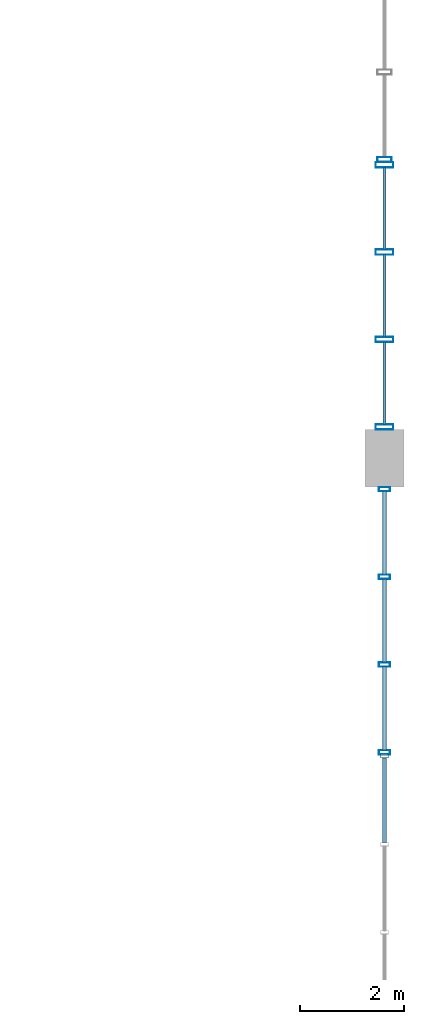
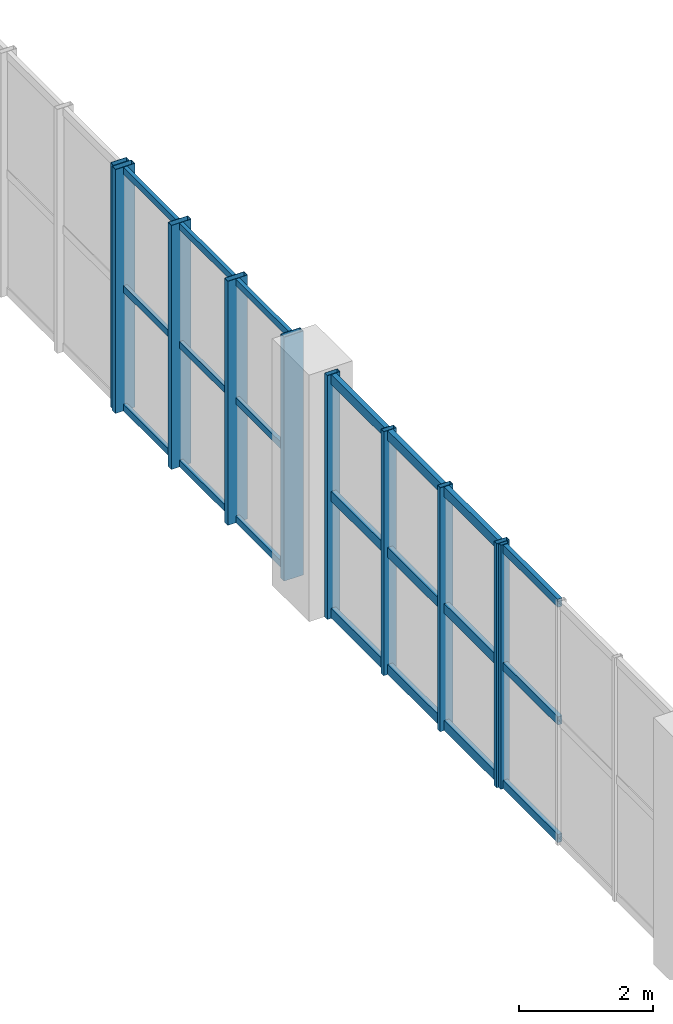
# One storey, part 28 of 48: 31 members, 4 elements without a shape of their own.
"""IFC4 building model written with IfcOpenShell, lengths in metres."""

from ifc_helpers import new_model, si_unit, direction, frame, origin, origin_2d, place, context, subcontext, project, spatial, hollow_rectangle, extrude, material, layer, layer_set, material_profile, profile_set, type_object, element, aggregate, save


model = new_model("IFC4")

# Units and contexts
model_context = context("Model", 3, precision=1e-05, world=origin(), true_north=direction((0.0, 1.0)))
body_context = subcontext(model_context, "Body", "Model", "MODEL_VIEW")
ifc_project = project(units=[si_unit("LENGTHUNIT", "METRE"), si_unit("AREAUNIT", "SQUARE_METRE"), si_unit("VOLUMEUNIT", "CUBIC_METRE"), si_unit("PLANEANGLEUNIT", "RADIAN"), si_unit("MASSUNIT", "GRAM", prefix="KILO"), si_unit("POWERUNIT", "WATT"), si_unit("THERMODYNAMICTEMPERATUREUNIT", "KELVIN")], contexts=[model_context])

# Site, building, storey
site_placement = place(None, origin())
site = spatial("IfcSite", under=ifc_project, at=site_placement, CompositionType="ELEMENT")
building_placement = place(site_placement, origin())
building = spatial("IfcBuilding", under=site, at=building_placement, Name="Kelmbourne Parkland Aquatics Centre", CompositionType="ELEMENT")
storey_placement = place(building_placement, frame((0.0, 0.0, 14.699951171875)))
storey = spatial("IfcBuildingStorey", under=building, at=storey_placement, Name="L03", CompositionType="ELEMENT", Elevation=14.699951171875)

# Curtain wall, member
ifc_material = material(Name="Thermally broken anodised aluminium framing", Category="aluminium")
ifc_layer_1 = layer(ifc_material, 0.179931640625)
ifc_layer_set_1 = layer_set([ifc_layer_1], Name="Thermally broken anodised aluminium framing")
curtain_wall_type_1 = type_object("IfcCurtainWallType", Name="CW-13", PredefinedType="NOTDEFINED", material=ifc_layer_set_1)
curtain_wall_1_placement = place(storey_placement, origin())
curtain_wall_1 = element("IfcCurtainWall", 1, at=curtain_wall_1_placement, inside=storey, type_object=curtain_wall_type_1, Name="Wave-hall clerestory curtain wall CW-L03-085", PredefinedType="NOTDEFINED")
ifc_material_profile_1 = material_profile(ifc_material, hollow_rectangle(XDim=0.06494140625, YDim=0.14990234375, WallThickness=0.00390625, at=origin_2d()), Name="CW-M 65x150")
ifc_profile_set_1 = profile_set([ifc_material_profile_1], Name="Thermally broken anodised aluminium framing")
member_type_1 = type_object("IfcMemberType", Name="MB-MUL-1", PredefinedType="MULLION", material=ifc_profile_set_1)
member_1_placement = place(storey_placement, frame((175.199951171875, 97.66748046875, 0.0), z_axis=(0.0, 0.0, 1.0), x_axis=(0.0, 1.0, 0.0)))
member_1 = element("IfcMember", 2, at=member_1_placement, type_object=member_type_1, Name="CW-L03-085 mullion 3", PredefinedType="MULLION", context=body_context, shape_type="SweptSolid", body=[
    extrude(hollow_rectangle(XDim=0.06494140625, YDim=0.14990234375, WallThickness=0.00390625, at=origin_2d()), origin(), (0.0, 0.0, 1.0), 4.449951171875),
])

# Curtain wall, members
ifc_layer_2 = layer(ifc_material, 0.179931640625)
ifc_layer_set_2 = layer_set([ifc_layer_2], Name="Thermally broken anodised aluminium framing")
curtain_wall_type_2 = type_object("IfcCurtainWallType", Name="CW-20", PredefinedType="NOTDEFINED", material=ifc_layer_set_2)
curtain_wall_2_placement = place(storey_placement, origin())
curtain_wall_2 = element("IfcCurtainWall", 3, at=curtain_wall_2_placement, inside=storey, type_object=curtain_wall_type_2, Name="Wave-hall clerestory curtain wall CW-L03-092", PredefinedType="NOTDEFINED")
ifc_material_profile_2 = material_profile(ifc_material, hollow_rectangle(XDim=0.0849609375, YDim=0.219970703125, WallThickness=0.0048828125, at=origin_2d()), Name="CW-M 85x220")
ifc_profile_set_2 = profile_set([ifc_material_profile_2], Name="Thermally broken anodised aluminium framing")
member_type_2 = type_object("IfcMemberType", Name="MB-MUL-3", PredefinedType="MULLION", material=ifc_profile_set_2)
member_2_placement = place(storey_placement, frame((175.199951171875, 97.742431640625, 0.0), z_axis=(0.0, 0.0, 1.0), x_axis=(0.0, 1.0, 0.0)))
member_2 = element("IfcMember", 4, at=member_2_placement, type_object=member_type_2, Name="CW-L03-092 mullion 0", PredefinedType="MULLION", context=body_context, shape_type="SweptSolid", body=[
    extrude(hollow_rectangle(XDim=0.0849609375, YDim=0.219970703125, WallThickness=0.0048828125, at=origin_2d()), origin(), (0.0, 0.0, 1.0), 4.449951171875),
])
member_3_placement = place(storey_placement, frame((175.199951171875, 99.43017578125, 0.0), z_axis=(0.0, 0.0, 1.0), x_axis=(0.0, 1.0, 0.0)))
member_3 = element("IfcMember", 5, at=member_3_placement, type_object=member_type_2, Name="CW-L03-092 mullion 1", PredefinedType="MULLION", context=body_context, shape_type="SweptSolid", body=[
    extrude(hollow_rectangle(XDim=0.0849609375, YDim=0.219970703125, WallThickness=0.0048828125, at=origin_2d()), origin(), (0.0, 0.0, 1.0), 4.449951171875),
])
member_4_placement = place(storey_placement, frame((175.199951171875, 101.117919921875, 0.0), z_axis=(0.0, 0.0, 1.0), x_axis=(0.0, 1.0, 0.0)))
member_4 = element("IfcMember", 6, at=member_4_placement, type_object=member_type_2, Name="CW-L03-092 mullion 2", PredefinedType="MULLION", context=body_context, shape_type="SweptSolid", body=[
    extrude(hollow_rectangle(XDim=0.0849609375, YDim=0.219970703125, WallThickness=0.0048828125, at=origin_2d()), origin(), (0.0, 0.0, 1.0), 4.449951171875),
])
member_5_placement = place(storey_placement, frame((175.199951171875, 102.805419921875, 0.0), z_axis=(0.0, 0.0, 1.0), x_axis=(0.0, 1.0, 0.0)))
member_5 = element("IfcMember", 7, at=member_5_placement, type_object=member_type_2, Name="CW-L03-092 mullion 3", PredefinedType="MULLION", context=body_context, shape_type="SweptSolid", body=[
    extrude(hollow_rectangle(XDim=0.0849609375, YDim=0.219970703125, WallThickness=0.0048828125, at=origin_2d()), origin(), (0.0, 0.0, 1.0), 4.449951171875),
])

# Curtain wall, member
ifc_layer_3 = layer(ifc_material, 0.179931640625)
ifc_layer_set_3 = layer_set([ifc_layer_3], Name="Thermally broken anodised aluminium framing")
curtain_wall_type_3 = type_object("IfcCurtainWallType", Name="CW-07", PredefinedType="NOTDEFINED", material=ifc_layer_set_3)
curtain_wall_3_placement = place(storey_placement, origin())
curtain_wall_3 = element("IfcCurtainWall", 8, at=curtain_wall_3_placement, inside=storey, type_object=curtain_wall_type_3, Name="Wave-hall clerestory curtain wall CW-L03-103", PredefinedType="NOTDEFINED")
ifc_material_profile_3 = material_profile(ifc_material, hollow_rectangle(XDim=0.094970703125, YDim=0.280029296875, WallThickness=0.005615234375, at=origin_2d()), Name="CW-M 95x280")
ifc_profile_set_3 = profile_set([ifc_material_profile_3], Name="Thermally broken anodised aluminium framing")
member_type_3 = type_object("IfcMemberType", Name="MB-MUL-4", PredefinedType="MULLION", material=ifc_profile_set_3)
member_6_placement = place(storey_placement, frame((175.199951171875, 109.1474609375, 0.0), z_axis=(0.0, 0.0, 1.0), x_axis=(0.0, 1.0, 0.0)))
member_6 = element("IfcMember", 9, at=member_6_placement, type_object=member_type_3, Name="CW-L03-103 mullion 0", PredefinedType="MULLION", context=body_context, shape_type="SweptSolid", body=[
    extrude(hollow_rectangle(XDim=0.094970703125, YDim=0.280029296875, WallThickness=0.005615234375, at=origin_2d()), origin(), (0.0, 0.0, 1.0), 4.449951171875),
])
aggregate(curtain_wall_3, [member_6])

# Curtain wall, members
ifc_layer_4 = layer(ifc_material, 0.179931640625)
ifc_layer_set_4 = layer_set([ifc_layer_4], Name="Thermally broken anodised aluminium framing")
curtain_wall_type_4 = type_object("IfcCurtainWallType", Name="CW-03", PredefinedType="NOTDEFINED", material=ifc_layer_set_4)
curtain_wall_4_placement = place(storey_placement, origin())
curtain_wall_4 = element("IfcCurtainWall", 10, at=curtain_wall_4_placement, inside=storey, type_object=curtain_wall_type_4, Name="Wave-hall clerestory curtain wall CW-L03-099", PredefinedType="NOTDEFINED")
ifc_material_profile_4 = material_profile(ifc_material, hollow_rectangle(XDim=0.10498046875, YDim=0.340087890625, WallThickness=0.006103515625, at=origin_2d()), Name="CW-M 105x340")
ifc_profile_set_4 = profile_set([ifc_material_profile_4], Name="Thermally broken anodised aluminium framing")
member_type_4 = type_object("IfcMemberType", Name="MB-MUL-5", PredefinedType="MULLION", material=ifc_profile_set_4)
member_7_placement = place(storey_placement, frame((175.199951171875, 104.00439453125, 0.0), z_axis=(0.0, 0.0, 1.0), x_axis=(0.0, 1.0, 0.0)))
member_7 = element("IfcMember", 11, at=member_7_placement, type_object=member_type_4, Name="CW-L03-099 mullion 0", PredefinedType="MULLION", context=body_context, shape_type="SweptSolid", body=[
    extrude(hollow_rectangle(XDim=0.10498046875, YDim=0.340087890625, WallThickness=0.006103515625, at=origin_2d()), origin(), (0.0, 0.0, 1.0), 4.449951171875),
])
member_8_placement = place(storey_placement, frame((175.199951171875, 105.685546875, 0.0), z_axis=(0.0, 0.0, 1.0), x_axis=(0.0, 1.0, 0.0)))
member_8 = element("IfcMember", 12, at=member_8_placement, type_object=member_type_4, Name="CW-L03-099 mullion 1", PredefinedType="MULLION", context=body_context, shape_type="SweptSolid", body=[
    extrude(hollow_rectangle(XDim=0.10498046875, YDim=0.340087890625, WallThickness=0.006103515625, at=origin_2d()), origin(), (0.0, 0.0, 1.0), 4.449951171875),
])
member_9_placement = place(storey_placement, frame((175.199951171875, 107.366455078125, 0.0), z_axis=(0.0, 0.0, 1.0), x_axis=(0.0, 1.0, 0.0)))
member_9 = element("IfcMember", 13, at=member_9_placement, type_object=member_type_4, Name="CW-L03-099 mullion 2", PredefinedType="MULLION", context=body_context, shape_type="SweptSolid", body=[
    extrude(hollow_rectangle(XDim=0.10498046875, YDim=0.340087890625, WallThickness=0.006103515625, at=origin_2d()), origin(), (0.0, 0.0, 1.0), 4.449951171875),
])
member_10_placement = place(storey_placement, frame((175.199951171875, 109.047607421875, 0.0), z_axis=(0.0, 0.0, 1.0), x_axis=(0.0, 1.0, 0.0)))
member_10 = element("IfcMember", 14, at=member_10_placement, type_object=member_type_4, Name="CW-L03-099 mullion 3", PredefinedType="MULLION", context=body_context, shape_type="SweptSolid", body=[
    extrude(hollow_rectangle(XDim=0.10498046875, YDim=0.340087890625, WallThickness=0.006103515625, at=origin_2d()), origin(), (0.0, 0.0, 1.0), 4.449951171875),
])
ifc_material_profile_5 = material_profile(ifc_material, hollow_rectangle(XDim=0.06494140625, YDim=0.1201171875, WallThickness=0.00341796875, at=origin_2d()), Name="CW-T 65x120")
ifc_profile_set_5 = profile_set([ifc_material_profile_5], Name="Thermally broken anodised aluminium framing")
member_type_5 = type_object("IfcMemberType", Name="MB-TRN-1", PredefinedType="USERDEFINED", material=ifc_profile_set_5)
member_11_placement = place(storey_placement, frame((175.199951171875, 104.052978515625, 0.06298828125), z_axis=(0.0, 1.0, 0.0), x_axis=(-1.0, 0.0, 0.0)))
member_11 = element("IfcMember", 15, at=member_11_placement, type_object=member_type_5, Name="CW-L03-099 transom 0-0", ObjectType="TRANSOM", PredefinedType="USERDEFINED", context=body_context, shape_type="SweptSolid", body=[
    extrude(hollow_rectangle(XDim=0.06494140625, YDim=0.1201171875, WallThickness=0.00341796875, at=origin_2d()), origin(), (0.0, 0.0, 1.0), 1.583984375),
])
member_12_placement = place(storey_placement, frame((175.199951171875, 105.73388671875, 0.06298828125), z_axis=(0.0, 1.0, 0.0), x_axis=(-1.0, 0.0, 0.0)))
member_12 = element("IfcMember", 16, at=member_12_placement, type_object=member_type_5, Name="CW-L03-099 transom 0-1", ObjectType="TRANSOM", PredefinedType="USERDEFINED", context=body_context, shape_type="SweptSolid", body=[
    extrude(hollow_rectangle(XDim=0.06494140625, YDim=0.1201171875, WallThickness=0.00341796875, at=origin_2d()), origin(), (0.0, 0.0, 1.0), 1.584228515625),
])
member_13_placement = place(storey_placement, frame((175.199951171875, 107.4150390625, 0.06298828125), z_axis=(0.0, 1.0, 0.0), x_axis=(-1.0, 0.0, 0.0)))
member_13 = element("IfcMember", 17, at=member_13_placement, type_object=member_type_5, Name="CW-L03-099 transom 0-2", ObjectType="TRANSOM", PredefinedType="USERDEFINED", context=body_context, shape_type="SweptSolid", body=[
    extrude(hollow_rectangle(XDim=0.06494140625, YDim=0.1201171875, WallThickness=0.00341796875, at=origin_2d()), origin(), (0.0, 0.0, 1.0), 1.583984375),
])
member_14_placement = place(storey_placement, frame((175.199951171875, 104.052978515625, 2.22509765625), z_axis=(0.0, 1.0, 0.0), x_axis=(-1.0, 0.0, 0.0)))
member_14 = element("IfcMember", 18, at=member_14_placement, type_object=member_type_5, Name="CW-L03-099 transom 1-0", ObjectType="TRANSOM", PredefinedType="USERDEFINED", context=body_context, shape_type="SweptSolid", body=[
    extrude(hollow_rectangle(XDim=0.06494140625, YDim=0.1201171875, WallThickness=0.00341796875, at=origin_2d()), origin(), (0.0, 0.0, 1.0), 1.583984375),
])
member_15_placement = place(storey_placement, frame((175.199951171875, 105.73388671875, 2.22509765625), z_axis=(0.0, 1.0, 0.0), x_axis=(-1.0, 0.0, 0.0)))
member_15 = element("IfcMember", 19, at=member_15_placement, type_object=member_type_5, Name="CW-L03-099 transom 1-1", ObjectType="TRANSOM", PredefinedType="USERDEFINED", context=body_context, shape_type="SweptSolid", body=[
    extrude(hollow_rectangle(XDim=0.06494140625, YDim=0.1201171875, WallThickness=0.00341796875, at=origin_2d()), origin(), (0.0, 0.0, 1.0), 1.584228515625),
])
member_16_placement = place(storey_placement, frame((175.199951171875, 107.4150390625, 2.22509765625), z_axis=(0.0, 1.0, 0.0), x_axis=(-1.0, 0.0, 0.0)))
member_16 = element("IfcMember", 20, at=member_16_placement, type_object=member_type_5, Name="CW-L03-099 transom 1-2", ObjectType="TRANSOM", PredefinedType="USERDEFINED", context=body_context, shape_type="SweptSolid", body=[
    extrude(hollow_rectangle(XDim=0.06494140625, YDim=0.1201171875, WallThickness=0.00341796875, at=origin_2d()), origin(), (0.0, 0.0, 1.0), 1.583984375),
])
member_17_placement = place(storey_placement, frame((175.199951171875, 104.052978515625, 4.386962890625), z_axis=(0.0, 1.0, 0.0), x_axis=(-1.0, 0.0, 0.0)))
member_17 = element("IfcMember", 21, at=member_17_placement, type_object=member_type_5, Name="CW-L03-099 transom 2-0", ObjectType="TRANSOM", PredefinedType="USERDEFINED", context=body_context, shape_type="SweptSolid", body=[
    extrude(hollow_rectangle(XDim=0.06494140625, YDim=0.1201171875, WallThickness=0.00341796875, at=origin_2d()), origin(), (0.0, 0.0, 1.0), 1.583984375),
])
member_18_placement = place(storey_placement, frame((175.199951171875, 105.73388671875, 4.386962890625), z_axis=(0.0, 1.0, 0.0), x_axis=(-1.0, 0.0, 0.0)))
member_18 = element("IfcMember", 22, at=member_18_placement, type_object=member_type_5, Name="CW-L03-099 transom 2-1", ObjectType="TRANSOM", PredefinedType="USERDEFINED", context=body_context, shape_type="SweptSolid", body=[
    extrude(hollow_rectangle(XDim=0.06494140625, YDim=0.1201171875, WallThickness=0.00341796875, at=origin_2d()), origin(), (0.0, 0.0, 1.0), 1.584228515625),
])
member_19_placement = place(storey_placement, frame((175.199951171875, 107.4150390625, 4.386962890625), z_axis=(0.0, 1.0, 0.0), x_axis=(-1.0, 0.0, 0.0)))
member_19 = element("IfcMember", 23, at=member_19_placement, type_object=member_type_5, Name="CW-L03-099 transom 2-2", ObjectType="TRANSOM", PredefinedType="USERDEFINED", context=body_context, shape_type="SweptSolid", body=[
    extrude(hollow_rectangle(XDim=0.06494140625, YDim=0.1201171875, WallThickness=0.00341796875, at=origin_2d()), origin(), (0.0, 0.0, 1.0), 1.583984375),
])
aggregate(curtain_wall_4, [member_7, member_8, member_9, member_10, member_11, member_12, member_13, member_14, member_15, member_16, member_17, member_18, member_19])

# Member
ifc_material_profile_6 = material_profile(ifc_material, hollow_rectangle(XDim=0.074951171875, YDim=0.14990234375, WallThickness=0.00390625, at=origin_2d()), Name="CW-T 75x150")
ifc_profile_set_6 = profile_set([ifc_material_profile_6], Name="Thermally broken anodised aluminium framing")
member_type_6 = type_object("IfcMemberType", Name="MB-TRN-2", PredefinedType="USERDEFINED", material=ifc_profile_set_6)
member_20_placement = place(storey_placement, frame((175.199951171875, 96.001708984375, 0.078125), z_axis=(0.0, 1.0, 0.0), x_axis=(-1.0, 0.0, 0.0)))
member_20 = element("IfcMember", 24, at=member_20_placement, type_object=member_type_6, Name="CW-L03-085 transom 0-2", ObjectType="TRANSOM", PredefinedType="USERDEFINED", context=body_context, shape_type="SweptSolid", body=[
    extrude(hollow_rectangle(XDim=0.074951171875, YDim=0.14990234375, WallThickness=0.00390625, at=origin_2d()), origin(), (0.0, 0.0, 1.0), 1.63720703125),
])

member_21_placement = place(storey_placement, frame((175.199951171875, 96.001708984375, 2.22509765625), z_axis=(0.0, 1.0, 0.0), x_axis=(-1.0, 0.0, 0.0)))
member_21 = element("IfcMember", 25, at=member_21_placement, type_object=member_type_6, Name="CW-L03-085 transom 1-2", ObjectType="TRANSOM", PredefinedType="USERDEFINED", context=body_context, shape_type="SweptSolid", body=[
    extrude(hollow_rectangle(XDim=0.074951171875, YDim=0.14990234375, WallThickness=0.00390625, at=origin_2d()), origin(), (0.0, 0.0, 1.0), 1.63720703125),
])

member_22_placement = place(storey_placement, frame((175.199951171875, 96.001708984375, 4.3720703125), z_axis=(0.0, 1.0, 0.0), x_axis=(-1.0, 0.0, 0.0)))
member_22 = element("IfcMember", 26, at=member_22_placement, type_object=member_type_6, Name="CW-L03-085 transom 2-2", ObjectType="TRANSOM", PredefinedType="USERDEFINED", context=body_context, shape_type="SweptSolid", body=[
    extrude(hollow_rectangle(XDim=0.074951171875, YDim=0.14990234375, WallThickness=0.00390625, at=origin_2d()), origin(), (0.0, 0.0, 1.0), 1.63720703125),
])

aggregate(curtain_wall_1, [member_1, member_20, member_21, member_22])

ifc_material_profile_7 = material_profile(ifc_material, hollow_rectangle(XDim=0.0849609375, YDim=0.179931640625, WallThickness=0.00439453125, at=origin_2d()), Name="CW-T 85x180")
ifc_profile_set_7 = profile_set([ifc_material_profile_7], Name="Thermally broken anodised aluminium framing")
member_type_7 = type_object("IfcMemberType", Name="MB-TRN-3", PredefinedType="USERDEFINED", material=ifc_profile_set_7)
member_23_placement = place(storey_placement, frame((175.199951171875, 97.781005859375, 0.093017578125), z_axis=(0.0, 1.0, 0.0), x_axis=(-1.0, 0.0, 0.0)))
member_23 = element("IfcMember", 27, at=member_23_placement, type_object=member_type_7, Name="CW-L03-092 transom 0-0", ObjectType="TRANSOM", PredefinedType="USERDEFINED", context=body_context, shape_type="SweptSolid", body=[
    extrude(hollow_rectangle(XDim=0.0849609375, YDim=0.179931640625, WallThickness=0.00439453125, at=origin_2d()), origin(), (0.0, 0.0, 1.0), 1.610595703125),
])

member_24_placement = place(storey_placement, frame((175.199951171875, 99.46875, 0.093017578125), z_axis=(0.0, 1.0, 0.0), x_axis=(-1.0, 0.0, 0.0)))
member_24 = element("IfcMember", 28, at=member_24_placement, type_object=member_type_7, Name="CW-L03-092 transom 0-1", ObjectType="TRANSOM", PredefinedType="USERDEFINED", context=body_context, shape_type="SweptSolid", body=[
    extrude(hollow_rectangle(XDim=0.0849609375, YDim=0.179931640625, WallThickness=0.00439453125, at=origin_2d()), origin(), (0.0, 0.0, 1.0), 1.610595703125),
])

member_25_placement = place(storey_placement, frame((175.199951171875, 101.15625, 0.093017578125), z_axis=(0.0, 1.0, 0.0), x_axis=(-1.0, 0.0, 0.0)))
member_25 = element("IfcMember", 29, at=member_25_placement, type_object=member_type_7, Name="CW-L03-092 transom 0-2", ObjectType="TRANSOM", PredefinedType="USERDEFINED", context=body_context, shape_type="SweptSolid", body=[
    extrude(hollow_rectangle(XDim=0.0849609375, YDim=0.179931640625, WallThickness=0.00439453125, at=origin_2d()), origin(), (0.0, 0.0, 1.0), 1.61083984375),
])

member_26_placement = place(storey_placement, frame((175.199951171875, 97.781005859375, 2.22509765625), z_axis=(0.0, 1.0, 0.0), x_axis=(-1.0, 0.0, 0.0)))
member_26 = element("IfcMember", 30, at=member_26_placement, type_object=member_type_7, Name="CW-L03-092 transom 1-0", ObjectType="TRANSOM", PredefinedType="USERDEFINED", context=body_context, shape_type="SweptSolid", body=[
    extrude(hollow_rectangle(XDim=0.0849609375, YDim=0.179931640625, WallThickness=0.00439453125, at=origin_2d()), origin(), (0.0, 0.0, 1.0), 1.610595703125),
])

member_27_placement = place(storey_placement, frame((175.199951171875, 99.46875, 2.22509765625), z_axis=(0.0, 1.0, 0.0), x_axis=(-1.0, 0.0, 0.0)))
member_27 = element("IfcMember", 31, at=member_27_placement, type_object=member_type_7, Name="CW-L03-092 transom 1-1", ObjectType="TRANSOM", PredefinedType="USERDEFINED", context=body_context, shape_type="SweptSolid", body=[
    extrude(hollow_rectangle(XDim=0.0849609375, YDim=0.179931640625, WallThickness=0.00439453125, at=origin_2d()), origin(), (0.0, 0.0, 1.0), 1.610595703125),
])

member_28_placement = place(storey_placement, frame((175.199951171875, 101.15625, 2.22509765625), z_axis=(0.0, 1.0, 0.0), x_axis=(-1.0, 0.0, 0.0)))
member_28 = element("IfcMember", 32, at=member_28_placement, type_object=member_type_7, Name="CW-L03-092 transom 1-2", ObjectType="TRANSOM", PredefinedType="USERDEFINED", context=body_context, shape_type="SweptSolid", body=[
    extrude(hollow_rectangle(XDim=0.0849609375, YDim=0.179931640625, WallThickness=0.00439453125, at=origin_2d()), origin(), (0.0, 0.0, 1.0), 1.61083984375),
])

member_29_placement = place(storey_placement, frame((175.199951171875, 97.781005859375, 4.35693359375), z_axis=(0.0, 1.0, 0.0), x_axis=(-1.0, 0.0, 0.0)))
member_29 = element("IfcMember", 33, at=member_29_placement, type_object=member_type_7, Name="CW-L03-092 transom 2-0", ObjectType="TRANSOM", PredefinedType="USERDEFINED", context=body_context, shape_type="SweptSolid", body=[
    extrude(hollow_rectangle(XDim=0.0849609375, YDim=0.179931640625, WallThickness=0.00439453125, at=origin_2d()), origin(), (0.0, 0.0, 1.0), 1.610595703125),
])

member_30_placement = place(storey_placement, frame((175.199951171875, 99.46875, 4.35693359375), z_axis=(0.0, 1.0, 0.0), x_axis=(-1.0, 0.0, 0.0)))
member_30 = element("IfcMember", 34, at=member_30_placement, type_object=member_type_7, Name="CW-L03-092 transom 2-1", ObjectType="TRANSOM", PredefinedType="USERDEFINED", context=body_context, shape_type="SweptSolid", body=[
    extrude(hollow_rectangle(XDim=0.0849609375, YDim=0.179931640625, WallThickness=0.00439453125, at=origin_2d()), origin(), (0.0, 0.0, 1.0), 1.610595703125),
])

member_31_placement = place(storey_placement, frame((175.199951171875, 101.15625, 4.35693359375), z_axis=(0.0, 1.0, 0.0), x_axis=(-1.0, 0.0, 0.0)))
member_31 = element("IfcMember", 35, at=member_31_placement, type_object=member_type_7, Name="CW-L03-092 transom 2-2", ObjectType="TRANSOM", PredefinedType="USERDEFINED", context=body_context, shape_type="SweptSolid", body=[
    extrude(hollow_rectangle(XDim=0.0849609375, YDim=0.179931640625, WallThickness=0.00439453125, at=origin_2d()), origin(), (0.0, 0.0, 1.0), 1.61083984375),
])

aggregate(curtain_wall_2, [member_2, member_3, member_4, member_5, member_23, member_24, member_25, member_26, member_27, member_28, member_29, member_30, member_31])

save(model, "model.ifc")
